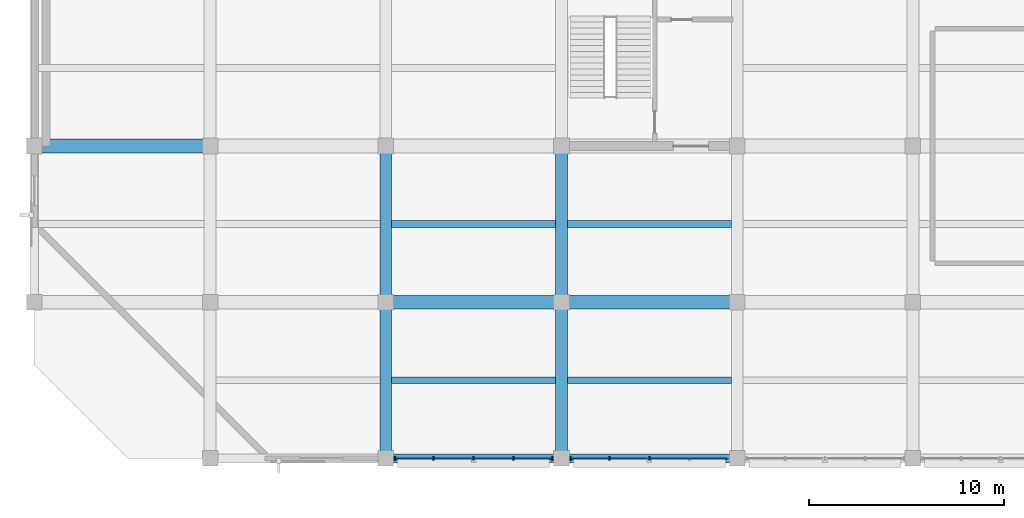
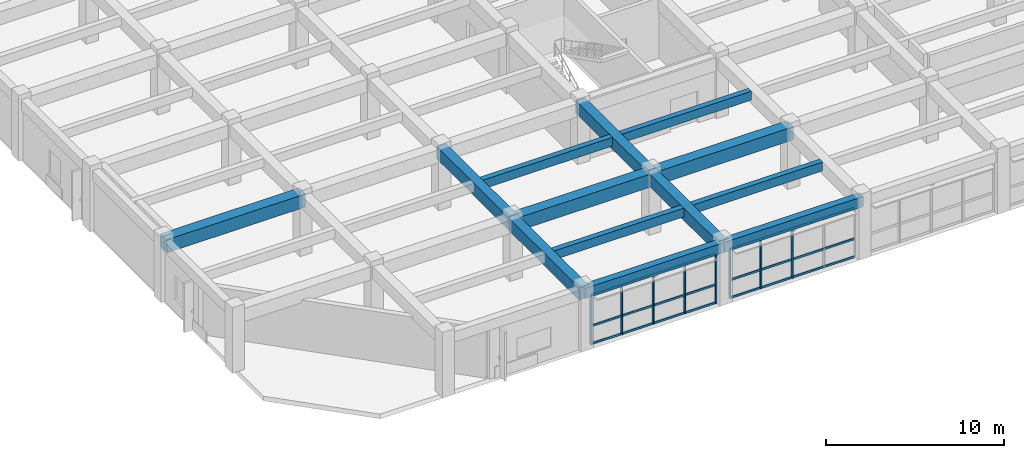
# One storey, part 3 of 50: 14 members, 13 beams, 2 elements without a shape of their own.
"""IFC4 building model written with IfcOpenShell, lengths in metres."""

from ifc_helpers import new_model, si_unit, direction, frame, origin, origin_2d, place, context, subcontext, project, spatial, rectangle, extrude, material, material_profile, profile_set, type_object, element, aggregate, save


model = new_model("IFC4")

# Units and contexts
model_context = context("Model", 3, precision=1e-05, world=origin(), true_north=direction((0.0, 1.0)))
body_context = subcontext(model_context, "Body", "Model", "MODEL_VIEW")
ifc_project = project(units=[si_unit("LENGTHUNIT", "METRE"), si_unit("AREAUNIT", "SQUARE_METRE"), si_unit("VOLUMEUNIT", "CUBIC_METRE"), si_unit("PLANEANGLEUNIT", "RADIAN"), si_unit("MASSUNIT", "GRAM", prefix="KILO")], contexts=[model_context])

# Site, building, storey
site_placement = place(None, origin())
site = spatial("IfcSite", under=ifc_project, at=site_placement, CompositionType="ELEMENT")
building_placement = place(site_placement, origin())
building = spatial("IfcBuilding", under=site, at=building_placement, Name="Zaverband Oceanarium and Marine Research Institute", CompositionType="ELEMENT")
storey_placement = place(building_placement, frame((0.0, 0.0, 9.0)))
storey = spatial("IfcBuildingStorey", under=building, at=storey_placement, Name="L02", CompositionType="ELEMENT", Elevation=9.0)

# Beams
ifc_material_1 = material(Name="Concrete C40/50", Category="concrete")
ifc_material_profile_1 = material_profile(ifc_material_1, rectangle(XDim=0.60009765625, YDim=0.85009765625, at=origin_2d()), Name="RC600x850")
ifc_profile_set_1 = profile_set([ifc_material_profile_1], Name="Concrete C40/50")
beam_type_1 = type_object("IfcBeamType", Name="BM-600x850", PredefinedType="BEAM", material=ifc_profile_set_1)
for number, where, z_axis, x_axis, name in (
    (1, (18.0, 0.0, 3.715087890625), (0.0, 1.0, 0.0), (-1.0, 0.0, 0.0), "Primary floor girder BM-600x850"),
    (2, (18.0, 8.0, 3.715087890625), (0.0, 1.0, 0.0), (-1.0, 0.0, 0.0), "Primary floor girder BM-600x850"),
    (3, (27.0, 0.0, 3.715087890625), (0.0, 1.0, 0.0), (-1.0, 0.0, 0.0), "Primary floor girder BM-600x850"),
    (4, (27.0, 8.0, 3.715087890625), (0.0, 1.0, 0.0), (-1.0, 0.0, 0.0), "Primary floor girder BM-600x850"),
):
    element("IfcBeam", number, at=place(storey_placement, frame(where, z_axis=z_axis, x_axis=x_axis)), inside=storey, type_object=beam_type_1, Name=name, PredefinedType="BEAM", context=body_context, shape_type="SweptSolid", body=[
        extrude(rectangle(XDim=0.60009765625, YDim=0.85009765625, at=origin_2d()), origin(), (0.0, 0.0, 1.0), 8.0),
    ])
ifc_material_profile_2 = material_profile(ifc_material_1, rectangle(XDim=0.699951171875, YDim=0.89990234375, at=origin_2d()), Name="RC700x900")
ifc_profile_set_2 = profile_set([ifc_material_profile_2], Name="Concrete C40/50")
beam_type_2 = type_object("IfcBeamType", Name="BM-700x900", PredefinedType="BEAM", material=ifc_profile_set_2)
for number, where, z_axis, x_axis, name in (
    (5, (18.0, 8.0, 3.68994140625), (1.0, 0.0, 0.0), (0.0, 1.0, 0.0), "Primary floor girder BM-700x900"),
    (6, (27.0, 8.0, 3.68994140625), (1.0, 0.0, 0.0), (0.0, 1.0, 0.0), "Primary floor girder BM-700x900"),
    (7, (0.0, 16.0, 3.68994140625), (1.0, 0.0, 0.0), (0.0, 1.0, 0.0), "Primary floor girder BM-700x900"),
):
    element("IfcBeam", number, at=place(storey_placement, frame(where, z_axis=z_axis, x_axis=x_axis)), inside=storey, type_object=beam_type_2, Name=name, PredefinedType="BEAM", context=body_context, shape_type="SweptSolid", body=[
        extrude(rectangle(XDim=0.699951171875, YDim=0.89990234375, at=origin_2d()), origin(), (0.0, 0.0, 1.0), 9.0),
    ])
ifc_material_profile_3 = material_profile(ifc_material_1, rectangle(XDim=0.35009765625, YDim=0.60009765625, at=origin_2d()), Name="RC350x600")
ifc_profile_set_3 = profile_set([ifc_material_profile_3], Name="Concrete C40/50")
beam_type_3 = type_object("IfcBeamType", Name="JST-350x600", PredefinedType="JOIST", material=ifc_profile_set_3)
for number, where, z_axis, x_axis, name in (
    (8, (18.300048828125, 4.0, 3.840087890625), (1.0, 0.0, 0.0), (0.0, 1.0, 0.0), "Secondary floor joist JST-350x600"),
    (9, (18.300048828125, 12.0, 3.840087890625), (1.0, 0.0, 0.0), (0.0, 1.0, 0.0), "Secondary floor joist JST-350x600"),
    (10, (27.300048828125, 4.0, 3.840087890625), (1.0, 0.0, 0.0), (0.0, 1.0, 0.0), "Secondary floor joist JST-350x600"),
    (11, (27.300048828125, 12.0, 3.840087890625), (1.0, 0.0, 0.0), (0.0, 1.0, 0.0), "Secondary floor joist JST-350x600"),
):
    element("IfcBeam", number, at=place(storey_placement, frame(where, z_axis=z_axis, x_axis=x_axis)), inside=storey, type_object=beam_type_3, Name=name, PredefinedType="JOIST", context=body_context, shape_type="SweptSolid", body=[
        extrude(rectangle(XDim=0.35009765625, YDim=0.60009765625, at=origin_2d()), origin(), (0.0, 0.0, 1.0), 8.39990234375),
    ])

# Curtain wall, members
ifc_material_2 = material(Name="Thermally broken anodized aluminium and solar-control glass", Category="aluminium")
curtain_wall_type = type_object("IfcCurtainWallType", Name="CW-UNIT-1800", PredefinedType="NOTDEFINED", material=ifc_material_2)
curtain_wall_1_placement = place(storey_placement, origin())
curtain_wall_1 = element("IfcCurtainWall", 12, at=curtain_wall_1_placement, inside=storey, type_object=curtain_wall_type, Name="Unitised glazed curtain wall CW-035", PredefinedType="NOTDEFINED")
ifc_material_3 = material(Name="Thermally broken anodized aluminium", Category="aluminium")
ifc_material_profile_4 = material_profile(ifc_material_3, rectangle(XDim=0.080078125, YDim=0.179931640625, at=origin_2d()), Name="AL-MUL-80x180")
ifc_profile_set_4 = profile_set([ifc_material_profile_4], Name="Thermally broken anodized aluminium")
member_type_1 = type_object("IfcMemberType", Name="MUL-80x180", PredefinedType="MULLION", material=ifc_profile_set_4)
member_1_placement = place(storey_placement, frame((18.465087890625, 0.0, 0.0), z_axis=(0.0, 0.0, 1.0), x_axis=(1.0, 0.0, 0.0)))
member_1 = element("IfcMember", 13, at=member_1_placement, type_object=member_type_1, Name="Curtain wall vertical mullion MUL-80x180", PredefinedType="MULLION", context=body_context, shape_type="SweptSolid", body=[
    extrude(rectangle(XDim=0.080078125, YDim=0.179931640625, at=origin_2d()), origin(), (0.0, 0.0, 1.0), 3.419921875),
])
member_2_placement = place(storey_placement, frame((20.452392578125, 0.0, 0.0), z_axis=(0.0, 0.0, 1.0), x_axis=(1.0, 0.0, 0.0)))
member_2 = element("IfcMember", 14, at=member_2_placement, type_object=member_type_1, Name="Curtain wall vertical mullion MUL-80x180", PredefinedType="MULLION", context=body_context, shape_type="SweptSolid", body=[
    extrude(rectangle(XDim=0.080078125, YDim=0.179931640625, at=origin_2d()), origin(), (0.0, 0.0, 1.0), 3.419921875),
])
member_3_placement = place(storey_placement, frame((22.5, 0.0, 0.0), z_axis=(0.0, 0.0, 1.0), x_axis=(1.0, 0.0, 0.0)))
member_3 = element("IfcMember", 15, at=member_3_placement, type_object=member_type_1, Name="Curtain wall vertical mullion MUL-80x180", PredefinedType="MULLION", context=body_context, shape_type="SweptSolid", body=[
    extrude(rectangle(XDim=0.080078125, YDim=0.179931640625, at=origin_2d()), origin(), (0.0, 0.0, 1.0), 3.419921875),
])
member_4_placement = place(storey_placement, frame((24.547607421875, 0.0, 0.0), z_axis=(0.0, 0.0, 1.0), x_axis=(1.0, 0.0, 0.0)))
member_4 = element("IfcMember", 16, at=member_4_placement, type_object=member_type_1, Name="Curtain wall vertical mullion MUL-80x180", PredefinedType="MULLION", context=body_context, shape_type="SweptSolid", body=[
    extrude(rectangle(XDim=0.080078125, YDim=0.179931640625, at=origin_2d()), origin(), (0.0, 0.0, 1.0), 3.419921875),
])
member_5_placement = place(storey_placement, frame((26.534912109375, 0.0, 0.0), z_axis=(0.0, 0.0, 1.0), x_axis=(1.0, 0.0, 0.0)))
member_5 = element("IfcMember", 17, at=member_5_placement, type_object=member_type_1, Name="Curtain wall vertical mullion MUL-80x180", PredefinedType="MULLION", context=body_context, shape_type="SweptSolid", body=[
    extrude(rectangle(XDim=0.080078125, YDim=0.179931640625, at=origin_2d()), origin(), (0.0, 0.0, 1.0), 3.419921875),
])

curtain_wall_2_placement = place(storey_placement, origin())
curtain_wall_2 = element("IfcCurtainWall", 18, at=curtain_wall_2_placement, inside=storey, type_object=curtain_wall_type, Name="Unitised glazed curtain wall CW-036", PredefinedType="NOTDEFINED")
member_6_placement = place(storey_placement, frame((27.465087890625, 0.0, 0.0), z_axis=(0.0, 0.0, 1.0), x_axis=(1.0, 0.0, 0.0)))
member_6 = element("IfcMember", 19, at=member_6_placement, type_object=member_type_1, Name="Curtain wall vertical mullion MUL-80x180", PredefinedType="MULLION", context=body_context, shape_type="SweptSolid", body=[
    extrude(rectangle(XDim=0.080078125, YDim=0.179931640625, at=origin_2d()), origin(), (0.0, 0.0, 1.0), 3.419921875),
])
member_7_placement = place(storey_placement, frame((29.452392578125, 0.0, 0.0), z_axis=(0.0, 0.0, 1.0), x_axis=(1.0, 0.0, 0.0)))
member_7 = element("IfcMember", 20, at=member_7_placement, type_object=member_type_1, Name="Curtain wall vertical mullion MUL-80x180", PredefinedType="MULLION", context=body_context, shape_type="SweptSolid", body=[
    extrude(rectangle(XDim=0.080078125, YDim=0.179931640625, at=origin_2d()), origin(), (0.0, 0.0, 1.0), 3.419921875),
])
member_8_placement = place(storey_placement, frame((31.5, 0.0, 0.0), z_axis=(0.0, 0.0, 1.0), x_axis=(1.0, 0.0, 0.0)))
member_8 = element("IfcMember", 21, at=member_8_placement, type_object=member_type_1, Name="Curtain wall vertical mullion MUL-80x180", PredefinedType="MULLION", context=body_context, shape_type="SweptSolid", body=[
    extrude(rectangle(XDim=0.080078125, YDim=0.179931640625, at=origin_2d()), origin(), (0.0, 0.0, 1.0), 3.419921875),
])

# Beams
ifc_material_profile_5 = material_profile(ifc_material_1, rectangle(XDim=0.449951171875, YDim=0.699951171875, at=origin_2d()), Name="RC450x700")
ifc_profile_set_5 = profile_set([ifc_material_profile_5], Name="Concrete C40/50")
beam_type_4 = type_object("IfcBeamType", Name="SPN-450x700", PredefinedType="SPANDREL", material=ifc_profile_set_5)
for number, where, z_axis, x_axis, name in (
    (22, (18.0, 0.0, 3.7900390625), (1.0, 0.0, 0.0), (0.0, 1.0, 0.0), "Perimeter spandrel beam SPN-450x700"),
    (23, (27.0, 0.0, 3.7900390625), (1.0, 0.0, 0.0), (0.0, 1.0, 0.0), "Perimeter spandrel beam SPN-450x700"),
):
    element("IfcBeam", number, at=place(storey_placement, frame(where, z_axis=z_axis, x_axis=x_axis)), inside=storey, type_object=beam_type_4, Name=name, PredefinedType="SPANDREL", context=body_context, shape_type="SweptSolid", body=[
        extrude(rectangle(XDim=0.449951171875, YDim=0.699951171875, at=origin_2d()), origin(), (0.0, 0.0, 1.0), 9.0),
    ])

# Member
ifc_material_profile_6 = material_profile(ifc_material_3, rectangle(XDim=0.080078125, YDim=0.139892578125, at=origin_2d()), Name="AL-TRN-80x140")
ifc_profile_set_6 = profile_set([ifc_material_profile_6], Name="Thermally broken anodized aluminium")
member_type_2 = type_object("IfcMemberType", Name="TRN-80x140", PredefinedType="USERDEFINED", material=ifc_profile_set_6)
member_9_placement = place(storey_placement, frame((18.465087890625, 0.0, 0.050048828125), z_axis=(1.0, 0.0, 0.0), x_axis=(0.0, 1.0, 0.0)))
member_9 = element("IfcMember", 24, at=member_9_placement, type_object=member_type_2, Name="Curtain wall horizontal transom TRN-80x140", ObjectType="TRANSOM", PredefinedType="USERDEFINED", context=body_context, shape_type="SweptSolid", body=[
    extrude(rectangle(XDim=0.080078125, YDim=0.139892578125, at=origin_2d()), origin(), (0.0, 0.0, 1.0), 8.06982421875),
])

member_10_placement = place(storey_placement, frame((18.465087890625, 0.0, 1.277099609375), z_axis=(1.0, 0.0, 0.0), x_axis=(0.0, 1.0, 0.0)))
member_10 = element("IfcMember", 25, at=member_10_placement, type_object=member_type_2, Name="Curtain wall horizontal transom TRN-80x140", ObjectType="TRANSOM", PredefinedType="USERDEFINED", context=body_context, shape_type="SweptSolid", body=[
    extrude(rectangle(XDim=0.080078125, YDim=0.139892578125, at=origin_2d()), origin(), (0.0, 0.0, 1.0), 8.06982421875),
])

member_11_placement = place(storey_placement, frame((18.465087890625, 0.0, 3.3701171875), z_axis=(1.0, 0.0, 0.0), x_axis=(0.0, 1.0, 0.0)))
member_11 = element("IfcMember", 26, at=member_11_placement, type_object=member_type_2, Name="Curtain wall horizontal transom TRN-80x140", ObjectType="TRANSOM", PredefinedType="USERDEFINED", context=body_context, shape_type="SweptSolid", body=[
    extrude(rectangle(XDim=0.080078125, YDim=0.139892578125, at=origin_2d()), origin(), (0.0, 0.0, 1.0), 8.06982421875),
])

aggregate(curtain_wall_1, [member_1, member_2, member_3, member_4, member_5, member_9, member_10, member_11])

member_12_placement = place(storey_placement, frame((27.465087890625, 0.0, 0.050048828125), z_axis=(1.0, 0.0, 0.0), x_axis=(0.0, 1.0, 0.0)))
member_12 = element("IfcMember", 27, at=member_12_placement, type_object=member_type_2, Name="Curtain wall horizontal transom TRN-80x140", ObjectType="TRANSOM", PredefinedType="USERDEFINED", context=body_context, shape_type="SweptSolid", body=[
    extrude(rectangle(XDim=0.080078125, YDim=0.139892578125, at=origin_2d()), origin(), (0.0, 0.0, 1.0), 8.06982421875),
])

member_13_placement = place(storey_placement, frame((27.465087890625, 0.0, 1.277099609375), z_axis=(1.0, 0.0, 0.0), x_axis=(0.0, 1.0, 0.0)))
member_13 = element("IfcMember", 28, at=member_13_placement, type_object=member_type_2, Name="Curtain wall horizontal transom TRN-80x140", ObjectType="TRANSOM", PredefinedType="USERDEFINED", context=body_context, shape_type="SweptSolid", body=[
    extrude(rectangle(XDim=0.080078125, YDim=0.139892578125, at=origin_2d()), origin(), (0.0, 0.0, 1.0), 8.06982421875),
])

member_14_placement = place(storey_placement, frame((27.465087890625, 0.0, 3.3701171875), z_axis=(1.0, 0.0, 0.0), x_axis=(0.0, 1.0, 0.0)))
member_14 = element("IfcMember", 29, at=member_14_placement, type_object=member_type_2, Name="Curtain wall horizontal transom TRN-80x140", ObjectType="TRANSOM", PredefinedType="USERDEFINED", context=body_context, shape_type="SweptSolid", body=[
    extrude(rectangle(XDim=0.080078125, YDim=0.139892578125, at=origin_2d()), origin(), (0.0, 0.0, 1.0), 8.06982421875),
])

aggregate(curtain_wall_2, [member_6, member_7, member_8, member_12, member_13, member_14])

save(model, "model.ifc")
